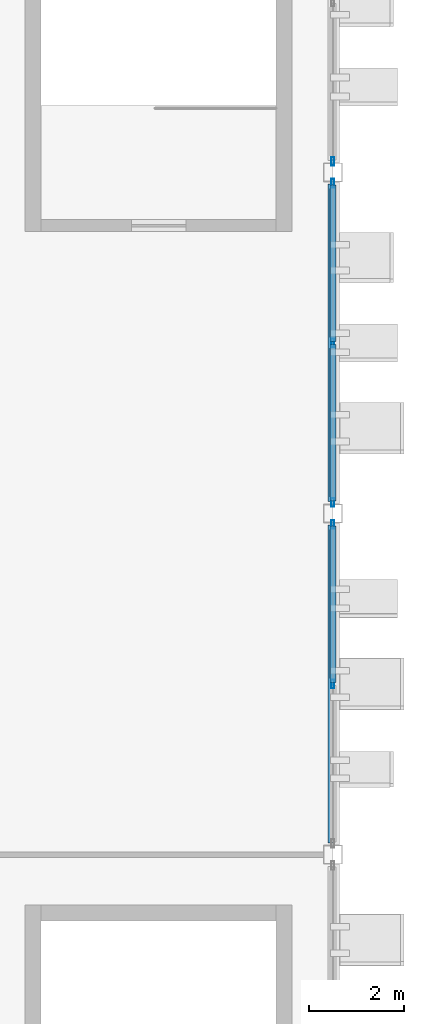
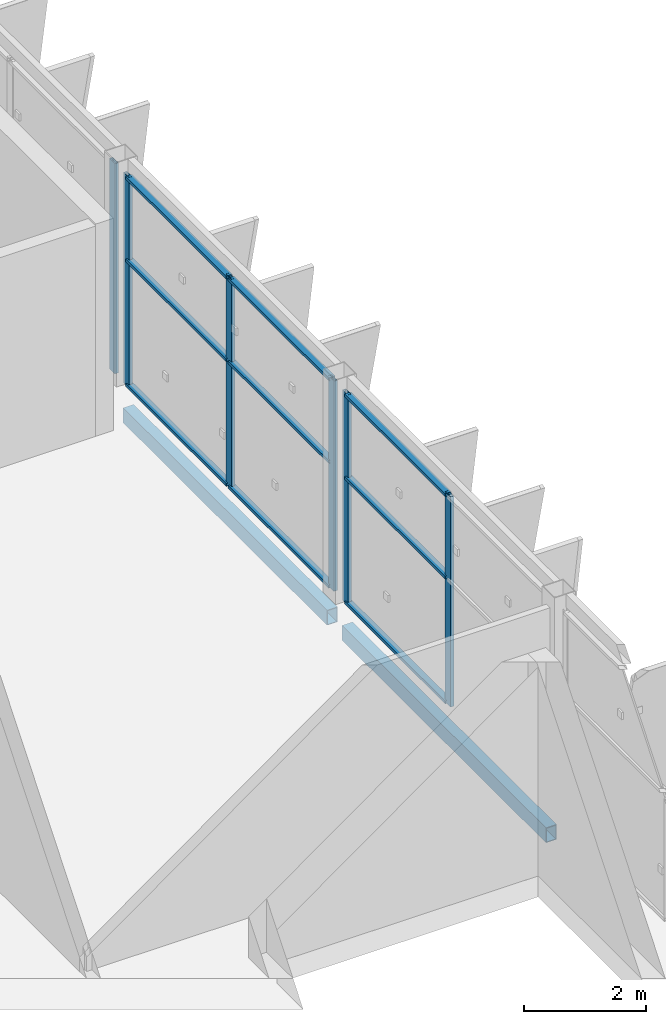
# One storey, part 84 of 151: 15 members, 2 beams, 3 elements without a shape of their own.
"""IFC4 building model written with IfcOpenShell, lengths in metres."""

from ifc_helpers import new_model, si_unit, direction, frame, origin, origin_2d, place, context, subcontext, project, spatial, hollow_rectangle, extrude, material, layer, layer_set, material_profile, profile_set, type_object, element, aggregate, save


model = new_model("IFC4")

# Units and contexts
model_context = context("Model", 3, precision=1e-05, world=origin(), true_north=direction((0.0, 1.0)))
body_context = subcontext(model_context, "Body", "Model", "MODEL_VIEW")
ifc_project = project(units=[si_unit("LENGTHUNIT", "METRE"), si_unit("AREAUNIT", "SQUARE_METRE"), si_unit("VOLUMEUNIT", "CUBIC_METRE"), si_unit("PLANEANGLEUNIT", "RADIAN"), si_unit("MASSUNIT", "GRAM", prefix="KILO")], contexts=[model_context])

# Site, building, storey
site_placement = place(None, origin())
site = spatial("IfcSite", under=ifc_project, at=site_placement, CompositionType="ELEMENT")
building_placement = place(site_placement, origin())
building = spatial("IfcBuilding", under=site, at=building_placement, Name="Celestram Park Convention Centre", CompositionType="ELEMENT")
storey_placement = place(building_placement, frame((0.0, 0.0, 10.800048828125)))
storey = spatial("IfcBuildingStorey", under=building, at=storey_placement, Name="L02", CompositionType="ELEMENT", Elevation=10.800048828125)

# Curtain wall, member
ifc_material_1 = material(Name="Anodised Aluminium Alloy 6063-T6", Category="aluminium")
ifc_layer = layer(ifc_material_1, 0.179931640625)
ifc_layer_set = layer_set([ifc_layer], Name="Anodised Aluminium Alloy 6063-T6")
curtain_wall_type = type_object("IfcCurtainWallType", Name="ARC-CW-680X422", PredefinedType="NOTDEFINED", material=ifc_layer_set)
curtain_wall_1_placement = place(storey_placement, origin())
curtain_wall_1 = element("IfcCurtainWall", 1, at=curtain_wall_1_placement, inside=storey, type_object=curtain_wall_type, Name="Unitised curtain wall CU-L02-171", PredefinedType="NOTDEFINED")
ifc_material_profile_1 = material_profile(ifc_material_1, hollow_rectangle(XDim=0.06494140625, YDim=0.179931640625, WallThickness=0.00390625, at=origin_2d()), Name="ALU65X180X4")
ifc_profile_set_1 = profile_set([ifc_material_profile_1], Name="Anodised Aluminium Alloy 6063-T6")
member_type_1 = type_object("IfcMemberType", Name="ARC-CWM-150", PredefinedType="MULLION", material=ifc_profile_set_1)
member_1_placement = place(storey_placement, frame((216.0, 151.430419921875, 0.0), z_axis=(0.0, 0.0, 1.0), x_axis=(1.0, 0.0, 0.0)))
member_1 = element("IfcMember", 2, at=member_1_placement, type_object=member_type_1, Name="CW-68X42 mullion 3", PredefinedType="MULLION", context=body_context, shape_type="SweptSolid", body=[
    extrude(hollow_rectangle(XDim=0.06494140625, YDim=0.179931640625, WallThickness=0.00390625, at=origin_2d()), origin(), (0.0, 0.0, 1.0), 4.219970703125),
])
aggregate(curtain_wall_1, [member_1])

# Curtain wall, members
curtain_wall_2_placement = place(storey_placement, origin())
curtain_wall_2 = element("IfcCurtainWall", 3, at=curtain_wall_2_placement, inside=storey, type_object=curtain_wall_type, Name="Unitised curtain wall CU-L02-172", PredefinedType="NOTDEFINED")
member_2_placement = place(storey_placement, frame((216.0, 150.969482421875, 0.0), z_axis=(0.0, 0.0, 1.0), x_axis=(1.0, 0.0, 0.0)))
member_2 = element("IfcMember", 4, at=member_2_placement, type_object=member_type_1, Name="CW-68X42 mullion 1", PredefinedType="MULLION", context=body_context, shape_type="SweptSolid", body=[
    extrude(hollow_rectangle(XDim=0.06494140625, YDim=0.179931640625, WallThickness=0.00390625, at=origin_2d()), origin(), (0.0, 0.0, 1.0), 4.219970703125),
])
member_3_placement = place(storey_placement, frame((216.0, 147.60009765625, 0.0), z_axis=(0.0, 0.0, 1.0), x_axis=(1.0, 0.0, 0.0)))
member_3 = element("IfcMember", 5, at=member_3_placement, type_object=member_type_1, Name="CW-68X42 mullion 2", PredefinedType="MULLION", context=body_context, shape_type="SweptSolid", body=[
    extrude(hollow_rectangle(XDim=0.06494140625, YDim=0.179931640625, WallThickness=0.00390625, at=origin_2d()), origin(), (0.0, 0.0, 1.0), 4.219970703125),
])
member_4_placement = place(storey_placement, frame((216.0, 144.23046875, 0.0), z_axis=(0.0, 0.0, 1.0), x_axis=(1.0, 0.0, 0.0)))
member_4 = element("IfcMember", 6, at=member_4_placement, type_object=member_type_1, Name="CW-68X42 mullion 3", PredefinedType="MULLION", context=body_context, shape_type="SweptSolid", body=[
    extrude(hollow_rectangle(XDim=0.06494140625, YDim=0.179931640625, WallThickness=0.00390625, at=origin_2d()), origin(), (0.0, 0.0, 1.0), 4.219970703125),
])

curtain_wall_3_placement = place(storey_placement, origin())
curtain_wall_3 = element("IfcCurtainWall", 7, at=curtain_wall_3_placement, inside=storey, type_object=curtain_wall_type, Name="Unitised curtain wall CU-L02-173", PredefinedType="NOTDEFINED")
member_5_placement = place(storey_placement, frame((216.0, 143.76953125, 0.0), z_axis=(0.0, 0.0, 1.0), x_axis=(1.0, 0.0, 0.0)))
member_5 = element("IfcMember", 8, at=member_5_placement, type_object=member_type_1, Name="CW-68X42 mullion 1", PredefinedType="MULLION", context=body_context, shape_type="SweptSolid", body=[
    extrude(hollow_rectangle(XDim=0.06494140625, YDim=0.179931640625, WallThickness=0.00390625, at=origin_2d()), origin(), (0.0, 0.0, 1.0), 4.219970703125),
])
member_6_placement = place(storey_placement, frame((216.0, 140.39990234375, 0.0), z_axis=(0.0, 0.0, 1.0), x_axis=(1.0, 0.0, 0.0)))
member_6 = element("IfcMember", 9, at=member_6_placement, type_object=member_type_1, Name="CW-68X42 mullion 2", PredefinedType="MULLION", context=body_context, shape_type="SweptSolid", body=[
    extrude(hollow_rectangle(XDim=0.06494140625, YDim=0.179931640625, WallThickness=0.00390625, at=origin_2d()), origin(), (0.0, 0.0, 1.0), 4.219970703125),
])

# Member
ifc_material_profile_2 = material_profile(ifc_material_1, hollow_rectangle(XDim=0.1201171875, YDim=0.06005859375, WallThickness=0.0029296875, at=origin_2d()), Name="ALU120X60X3")
ifc_profile_set_2 = profile_set([ifc_material_profile_2], Name="Anodised Aluminium Alloy 6063-T6")
member_type_2 = type_object("IfcMemberType", Name="ARC-CWT-120", PredefinedType="USERDEFINED", material=ifc_profile_set_2)
member_7_placement = place(storey_placement, frame((216.0, 150.93701171875, 0.030029296875), z_axis=(0.0, -1.0, 0.0), x_axis=(1.0, 0.0, 0.0)))
member_7 = element("IfcMember", 10, at=member_7_placement, type_object=member_type_2, Name="CW-68X42 transom 1.1", ObjectType="TRANSOM", PredefinedType="USERDEFINED", context=body_context, shape_type="SweptSolid", body=[
    extrude(hollow_rectangle(XDim=0.1201171875, YDim=0.06005859375, WallThickness=0.0029296875, at=origin_2d()), origin(), (0.0, 0.0, 1.0), 3.304443359375),
])

member_8_placement = place(storey_placement, frame((216.0, 150.93701171875, 2.531982421875), z_axis=(0.0, -1.0, 0.0), x_axis=(1.0, 0.0, 0.0)))
member_8 = element("IfcMember", 11, at=member_8_placement, type_object=member_type_2, Name="CW-68X42 transom 1.2", ObjectType="TRANSOM", PredefinedType="USERDEFINED", context=body_context, shape_type="SweptSolid", body=[
    extrude(hollow_rectangle(XDim=0.1201171875, YDim=0.06005859375, WallThickness=0.0029296875, at=origin_2d()), origin(), (0.0, 0.0, 1.0), 3.304443359375),
])

member_9_placement = place(storey_placement, frame((216.0, 150.93701171875, 4.18994140625), z_axis=(0.0, -1.0, 0.0), x_axis=(1.0, 0.0, 0.0)))
member_9 = element("IfcMember", 12, at=member_9_placement, type_object=member_type_2, Name="CW-68X42 transom 1.3", ObjectType="TRANSOM", PredefinedType="USERDEFINED", context=body_context, shape_type="SweptSolid", body=[
    extrude(hollow_rectangle(XDim=0.1201171875, YDim=0.06005859375, WallThickness=0.0029296875, at=origin_2d()), origin(), (0.0, 0.0, 1.0), 3.304443359375),
])

member_10_placement = place(storey_placement, frame((216.0, 147.5673828125, 0.030029296875), z_axis=(0.0, -1.0, 0.0), x_axis=(1.0, 0.0, 0.0)))
member_10 = element("IfcMember", 13, at=member_10_placement, type_object=member_type_2, Name="CW-68X42 transom 2.1", ObjectType="TRANSOM", PredefinedType="USERDEFINED", context=body_context, shape_type="SweptSolid", body=[
    extrude(hollow_rectangle(XDim=0.1201171875, YDim=0.06005859375, WallThickness=0.0029296875, at=origin_2d()), origin(), (0.0, 0.0, 1.0), 3.304443359375),
])

member_11_placement = place(storey_placement, frame((216.0, 147.5673828125, 2.531982421875), z_axis=(0.0, -1.0, 0.0), x_axis=(1.0, 0.0, 0.0)))
member_11 = element("IfcMember", 14, at=member_11_placement, type_object=member_type_2, Name="CW-68X42 transom 2.2", ObjectType="TRANSOM", PredefinedType="USERDEFINED", context=body_context, shape_type="SweptSolid", body=[
    extrude(hollow_rectangle(XDim=0.1201171875, YDim=0.06005859375, WallThickness=0.0029296875, at=origin_2d()), origin(), (0.0, 0.0, 1.0), 3.304443359375),
])

member_12_placement = place(storey_placement, frame((216.0, 147.5673828125, 4.18994140625), z_axis=(0.0, -1.0, 0.0), x_axis=(1.0, 0.0, 0.0)))
member_12 = element("IfcMember", 15, at=member_12_placement, type_object=member_type_2, Name="CW-68X42 transom 2.3", ObjectType="TRANSOM", PredefinedType="USERDEFINED", context=body_context, shape_type="SweptSolid", body=[
    extrude(hollow_rectangle(XDim=0.1201171875, YDim=0.06005859375, WallThickness=0.0029296875, at=origin_2d()), origin(), (0.0, 0.0, 1.0), 3.304443359375),
])

aggregate(curtain_wall_2, [member_2, member_3, member_4, member_7, member_8, member_9, member_10, member_11, member_12])

member_13_placement = place(storey_placement, frame((216.0, 143.737060546875, 0.030029296875), z_axis=(0.0, -1.0, 0.0), x_axis=(1.0, 0.0, 0.0)))
member_13 = element("IfcMember", 16, at=member_13_placement, type_object=member_type_2, Name="CW-68X42 transom 1.1", ObjectType="TRANSOM", PredefinedType="USERDEFINED", context=body_context, shape_type="SweptSolid", body=[
    extrude(hollow_rectangle(XDim=0.1201171875, YDim=0.06005859375, WallThickness=0.0029296875, at=origin_2d()), origin(), (0.0, 0.0, 1.0), 3.304443359375),
])

member_14_placement = place(storey_placement, frame((216.0, 143.737060546875, 2.531982421875), z_axis=(0.0, -1.0, 0.0), x_axis=(1.0, 0.0, 0.0)))
member_14 = element("IfcMember", 17, at=member_14_placement, type_object=member_type_2, Name="CW-68X42 transom 1.2", ObjectType="TRANSOM", PredefinedType="USERDEFINED", context=body_context, shape_type="SweptSolid", body=[
    extrude(hollow_rectangle(XDim=0.1201171875, YDim=0.06005859375, WallThickness=0.0029296875, at=origin_2d()), origin(), (0.0, 0.0, 1.0), 3.304443359375),
])

member_15_placement = place(storey_placement, frame((216.0, 143.737060546875, 4.18994140625), z_axis=(0.0, -1.0, 0.0), x_axis=(1.0, 0.0, 0.0)))
member_15 = element("IfcMember", 18, at=member_15_placement, type_object=member_type_2, Name="CW-68X42 transom 1.3", ObjectType="TRANSOM", PredefinedType="USERDEFINED", context=body_context, shape_type="SweptSolid", body=[
    extrude(hollow_rectangle(XDim=0.1201171875, YDim=0.06005859375, WallThickness=0.0029296875, at=origin_2d()), origin(), (0.0, 0.0, 1.0), 3.304443359375),
])

aggregate(curtain_wall_3, [member_5, member_6, member_13, member_14, member_15])

# Beams
ifc_material_2 = material(Name="Steel ASTM A500 Grade C", Category="steel")
ifc_material_profile_3 = material_profile(ifc_material_2, hollow_rectangle(XDim=0.199951171875, YDim=0.300048828125, WallThickness=0.011962890625, at=origin_2d()), Name="HSS300X200X12")
ifc_profile_set_3 = profile_set([ifc_material_profile_3], Name="Steel ASTM A500 Grade C")
beam_type = type_object("IfcBeamType", Name="STR-SPN-HSS300X200", PredefinedType="SPANDREL", material=ifc_profile_set_3)
for number, where, z_axis, x_axis, name in (
    (19, (216.0, 137.048095703125, -0.570068359375), (0.0, 1.0, 0.0), (-1.0, 0.0, 0.0), "Primary Y-girder BG-L02-0368"),
    (20, (216.0, 144.248046875, -0.570068359375), (0.0, 1.0, 0.0), (-1.0, 0.0, 0.0), "Primary Y-girder BG-L02-0369"),
):
    element("IfcBeam", number, at=place(storey_placement, frame(where, z_axis=z_axis, x_axis=x_axis)), inside=storey, type_object=beam_type, Name=name, PredefinedType="SPANDREL", context=body_context, shape_type="SweptSolid", body=[
        extrude(hollow_rectangle(XDim=0.199951171875, YDim=0.300048828125, WallThickness=0.011962890625, at=origin_2d()), origin(), (0.0, 0.0, 1.0), 6.703857421875),
    ])

save(model, "model.ifc")
